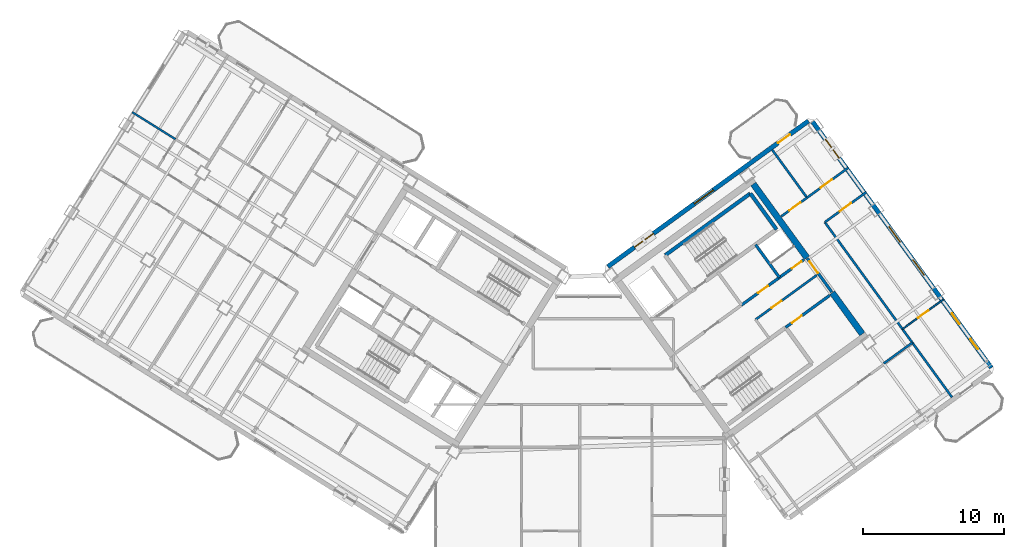
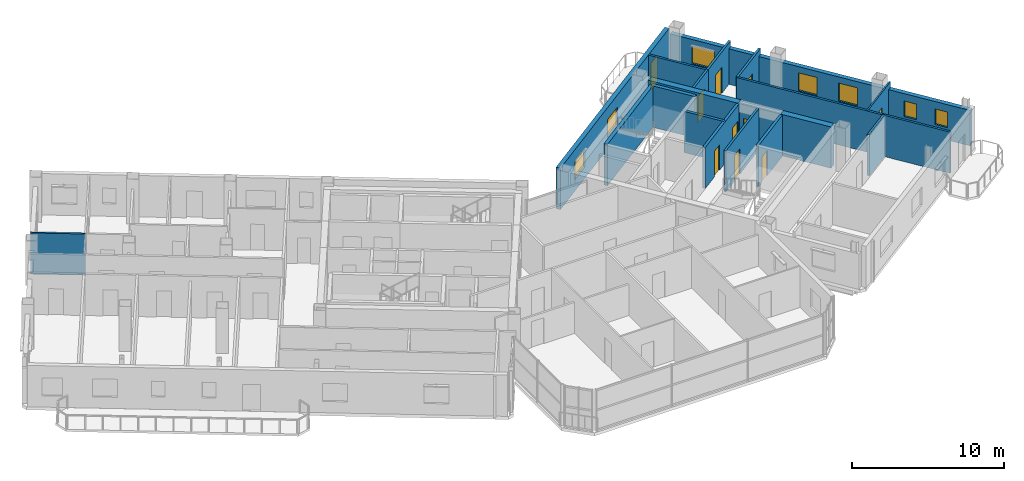
# One storey, part 20 of 27: 19 walls, 10 doors, 7 windows, 17 openings.
"""IFC4 building model written with IfcOpenShell, lengths in metres."""

from ifc_helpers import new_model, si_unit, direction, frame, frame_2d, origin, place, context, subcontext, project, spatial, rectangle, extrude, source, transform, mapped, material, layer, layer_set, type_object, element, fill, save


model = new_model("IFC4")

# Units and contexts
model_context = context("Model", 3, precision=1e-05, world=origin(), true_north=direction((0.0, 1.0)))
body_context = subcontext(model_context, "Body", "Model", "MODEL_VIEW")
ifc_project = project(units=[si_unit("LENGTHUNIT", "METRE"), si_unit("AREAUNIT", "SQUARE_METRE"), si_unit("VOLUMEUNIT", "CUBIC_METRE"), si_unit("PLANEANGLEUNIT", "RADIAN"), si_unit("MASSUNIT", "GRAM", prefix="KILO")], contexts=[model_context])

# Site, building, storey
site_placement = place(None, origin())
site = spatial("IfcSite", under=ifc_project, at=site_placement, CompositionType="ELEMENT")
building_placement = place(site_placement, origin())
building = spatial("IfcBuilding", under=site, at=building_placement, Name="Tlacorven Tower", CompositionType="ELEMENT")
storey_placement = place(building_placement, frame((0.0, 0.0, 242.10009765625)))
storey = spatial("IfcBuildingStorey", under=building, at=storey_placement, Name="L61", CompositionType="ELEMENT", Elevation=242.10009765625)

# Walls
ifc_material_1 = material(Name="Concrete C50/60", Category="concrete")
ifc_layer_1 = layer(ifc_material_1, 0.449951171875)
ifc_layer_set_1 = layer_set([ifc_layer_1], Name="Concrete C50/60")
wall_type_1 = type_object("IfcWallType", Name="WL-COR-450", PredefinedType="SHEAR", material=ifc_layer_set_1)
wall_1_placement = place(storey_placement, frame((61.987548828125, 20.413330078125, 0.0), z_axis=(0.0, 0.0, 1.0), x_axis=(-0.587819244441, 0.808992296542, 0.0)))
element("IfcWall", 1, at=wall_1_placement, inside=storey, type_object=wall_type_1, Name="L61 E core end wall E2.1", PredefinedType="SHEAR", context=body_context, shape_type="SweptSolid", body=[
    extrude(rectangle(XDim=3.625, YDim=0.449951171875, at=frame_2d((1.8125, 0.0))), origin(), (0.0, 0.0, 1.0), 3.31982421875),
])
wall_2_placement = place(storey_placement, frame((58.06396484375, 25.8134765625, 0.0), z_axis=(0.0, 0.0, 1.0), x_axis=(-0.587774812919, 0.809024578921, 0.0)))
element("IfcWall", 2, at=wall_2_placement, inside=storey, type_object=wall_type_1, Name="L61 E core end wall E2.2", PredefinedType="SHEAR", context=body_context, shape_type="SweptSolid", body=[
    extrude(rectangle(XDim=6.47509765625, YDim=0.449951171875, at=frame_2d((3.237548828125, 0.0))), origin(), (0.0, 0.0, 1.0), 3.31982421875),
])

# Wall, opening, door
ifc_material_2 = material(Name="Gypsum plasterboard acoustic partition", Category="gypsum")
ifc_layer_2 = layer(ifc_material_2, 0.159912109375)
ifc_layer_set_2 = layer_set([ifc_layer_2], Name="Gypsum plasterboard acoustic partition")
wall_type_2 = type_object("IfcWallType", Name="WL-DEM-160", PredefinedType="PARTITIONING", material=ifc_layer_set_2)
wall_3_placement = place(storey_placement, frame((54.421142578125, 21.436279296875, 0.0), z_axis=(0.0, 0.0, 1.0), x_axis=(0.809013710463, 0.587789772183, 0.0)))
wall_3 = element("IfcWall", 3, at=wall_3_placement, inside=storey, type_object=wall_type_2, Name="L61 partition 31", PredefinedType="PARTITIONING", context=body_context, shape_type="SweptSolid", body=[
    extrude(rectangle(XDim=5.360107421875, YDim=0.159912109375, at=frame_2d((2.68017578125, 0.0))), origin(), (0.0, 0.0, 1.0), 3.309814453125),
])
opening_1_placement = place(wall_3_placement, frame((1.39990234375, 0.0, 0.0)))
opening_1 = element("IfcOpeningElement", 4, at=opening_1_placement, cuts=wall_3, Name="Opening D19", PredefinedType="OPENING", context=body_context, shape_type="SweptSolid", body=[
    extrude(rectangle(XDim=0.860107421875, YDim=2.050048828125, at=frame_2d((0.43017578125, 1.02490234375))), frame((0.0, 0.08984375, 0.0), z_axis=(0.0, -1.0, 0.0), x_axis=(1.0, 0.0, 0.0)), (0.0, 0.0, 1.0), 0.179931640625),
])
ifc_material_3 = material(Name="Fire-rated steel door assembly", Category="steel")
door_type_1 = type_object("IfcDoorType", Name="DR-RSR-FD60-0860", OperationType="NOTDEFINED", PredefinedType="DOOR", material=ifc_material_3)
shared_shape_1 = source(origin(), body_context, "Body", "SweptSolid", [
    extrude(rectangle(XDim=0.860107421875, YDim=2.050048828125, at=frame_2d((0.43017578125, 1.02490234375))), frame((0.0, 0.02490234375, 0.0), z_axis=(0.0, -1.0, 0.0), x_axis=(1.0, 0.0, 0.0)), (0.0, 0.0, 1.0), 0.050048828125),
])
door_1_placement = place(opening_1_placement, origin())
door_1 = element("IfcDoor", 5, at=door_1_placement, inside=storey, type_object=door_type_1, Name="L61 Freed Core Store Door", OperationType="SINGLE_SWING_RIGHT", OverallHeight=2.050048828125, OverallWidth=0.860107421875, PredefinedType="DOOR", context=body_context, shape_type="MappedRepresentation", body=[
    mapped(shared_shape_1, transform((0.0, 0.0, 0.0), scale=1.0)),
])
fill(opening_1, door_1)

# Wall
wall_4_placement = place(storey_placement, frame((63.5068359375, 18.322021484375, 0.0), z_axis=(0.0, 0.0, 1.0), x_axis=(0.809034604122, 0.587761013791, 0.0)))
element("IfcWall", 6, at=wall_4_placement, inside=storey, type_object=wall_type_2, Name="L61 partition 80", PredefinedType="PARTITIONING", context=body_context, shape_type="SweptSolid", body=[
    extrude(rectangle(XDim=2.510009765625, YDim=0.159912109375, at=frame_2d((1.2548828125, 0.0))), origin(), (0.0, 0.0, 1.0), 3.309814453125),
])

# Wall, opening, door
wall_5_placement = place(storey_placement, frame((56.239990234375, 28.752685546875, 0.0), z_axis=(0.0, 0.0, 1.0), x_axis=(0.809002482896, 0.587805225111, 0.0)))
wall_5 = element("IfcWall", 7, at=wall_5_placement, inside=storey, type_object=wall_type_2, Name="L61 partition 81", PredefinedType="PARTITIONING", context=body_context, shape_type="SweptSolid", body=[
    extrude(rectangle(XDim=2.25830078125, YDim=0.159912109375, at=frame_2d((1.129150390625, 0.0))), origin(), (0.0, 0.0, 1.0), 3.309814453125),
])
opening_2_placement = place(wall_5_placement, frame((0.697998046875, 0.0, 0.0)))
opening_2 = element("IfcOpeningElement", 8, at=opening_2_placement, cuts=wall_5, Name="Opening D11", PredefinedType="OPENING", context=body_context, shape_type="SweptSolid", body=[
    extrude(rectangle(XDim=1.0, YDim=2.10009765625, at=frame_2d((0.5, 1.050048828125))), frame((0.0, 0.08984375, 0.0), z_axis=(0.0, -1.0, 0.0), x_axis=(1.0, 0.0, 0.0)), (0.0, 0.0, 1.0), 0.179931640625),
])
door_type_2 = type_object("IfcDoorType", Name="DR-FLT-FD60-1000", OperationType="NOTDEFINED", PredefinedType="DOOR", material=ifc_material_3)
shared_shape_2 = source(origin(), body_context, "Body", "SweptSolid", [
    extrude(rectangle(XDim=1.0, YDim=2.10009765625, at=frame_2d((0.5, 1.050048828125))), frame((0.0, 0.02490234375, 0.0), z_axis=(0.0, -1.0, 0.0), x_axis=(1.0, 0.0, 0.0)), (0.0, 0.0, 1.0), 0.050048828125),
])
door_2_placement = place(opening_2_placement, origin())
door_2 = element("IfcDoor", 9, at=door_2_placement, inside=storey, type_object=door_type_2, Name="L61 door 055", OperationType="SINGLE_SWING_LEFT", OverallHeight=2.10009765625, OverallWidth=1.0, PredefinedType="DOOR", context=body_context, shape_type="MappedRepresentation", body=[
    mapped(shared_shape_2, transform((0.0, 0.0, 0.0), scale=1.0)),
])
fill(opening_2, door_2)

# Walls
wall_6_placement = place(storey_placement, frame((68.35302734375, 15.922119140625, 0.0), z_axis=(0.0, 0.0, 1.0), x_axis=(-0.587782002009, 0.809019355834, 0.0)))
element("IfcWall", 10, at=wall_6_placement, inside=storey, type_object=wall_type_2, Name="L61 partition 82", PredefinedType="PARTITIONING", context=body_context, shape_type="SweptSolid", body=[
    extrude(rectangle(XDim=15.35009765625, YDim=0.159912109375, at=frame_2d((7.675048828125, 0.0))), origin(), (0.0, 0.0, 1.0), 3.309814453125),
])
wall_7_placement = place(storey_placement, frame((58.06689453125, 30.080078125, 0.0), z_axis=(0.0, 0.0, 1.0), x_axis=(-0.587812175236, 0.808997433027, 0.0)))
element("IfcWall", 11, at=wall_7_placement, inside=storey, type_object=wall_type_2, Name="L61 partition 83", PredefinedType="PARTITIONING", context=body_context, shape_type="SweptSolid", body=[
    extrude(rectangle(XDim=4.199951171875, YDim=0.159912109375, at=frame_2d((2.10009765625, 0.0))), origin(), (0.0, 0.0, 1.0), 3.309814453125),
])

# Wall, opening, door
wall_8_placement = place(storey_placement, frame((59.33056640625, 28.340576171875, 0.0), z_axis=(0.0, 0.0, 1.0), x_axis=(0.809003564202, 0.587803736896, 0.0)))
wall_8 = element("IfcWall", 12, at=wall_8_placement, inside=storey, type_object=wall_type_2, Name="L61 partition 85", PredefinedType="PARTITIONING", context=body_context, shape_type="SweptSolid", body=[
    extrude(rectangle(XDim=3.630126953125, YDim=0.159912109375, at=frame_2d((1.81494140625, 0.0))), origin(), (0.0, 0.0, 1.0), 3.309814453125),
])
opening_3_placement = place(wall_8_placement, frame((1.304931640625, 0.0, 0.0)))
opening_3 = element("IfcOpeningElement", 13, at=opening_3_placement, cuts=wall_8, Name="Opening D11", PredefinedType="OPENING", context=body_context, shape_type="SweptSolid", body=[
    extrude(rectangle(XDim=1.0, YDim=2.10009765625, at=frame_2d((0.5, 1.050048828125))), frame((0.0, 0.08984375, 0.0), z_axis=(0.0, -1.0, 0.0), x_axis=(1.0, 0.0, 0.0)), (0.0, 0.0, 1.0), 0.179931640625),
])
door_3_placement = place(opening_3_placement, origin())
door_3 = element("IfcDoor", 14, at=door_3_placement, inside=storey, type_object=door_type_2, Name="L61 door 058", OperationType="SINGLE_SWING_RIGHT", OverallHeight=2.10009765625, OverallWidth=1.0, PredefinedType="DOOR", context=body_context, shape_type="MappedRepresentation", body=[
    mapped(shared_shape_2, transform((0.0, 0.0, 0.0), scale=1.0)),
])
fill(opening_3, door_3)

wall_9_placement = place(storey_placement, frame((58.06689453125, 30.080078125, 0.0), z_axis=(0.0, 0.0, 1.0), x_axis=(0.809012309495, 0.587791700422, 0.0)))
wall_9 = element("IfcWall", 15, at=wall_9_placement, inside=storey, type_object=wall_type_2, Name="L61 partition 86", PredefinedType="PARTITIONING", context=body_context, shape_type="SweptSolid", body=[
    extrude(rectangle(XDim=3.6298828125, YDim=0.159912109375, at=frame_2d((1.81494140625, 0.0))), origin(), (0.0, 0.0, 1.0), 3.309814453125),
])
opening_4_placement = place(wall_9_placement, frame((1.199951171875, 0.0, 0.0)))
opening_4 = element("IfcOpeningElement", 16, at=opening_4_placement, cuts=wall_9, Name="Opening D11", PredefinedType="OPENING", context=body_context, shape_type="SweptSolid", body=[
    extrude(rectangle(XDim=1.0, YDim=2.10009765625, at=frame_2d((0.5, 1.050048828125))), frame((0.0, 0.08984375, 0.0), z_axis=(0.0, -1.0, 0.0), x_axis=(1.0, 0.0, 0.0)), (0.0, 0.0, 1.0), 0.179931640625),
])
door_4_placement = place(opening_4_placement, origin())
door_4 = element("IfcDoor", 17, at=door_4_placement, inside=storey, type_object=door_type_2, Name="L61 door 057", OperationType="SINGLE_SWING_LEFT", OverallHeight=2.10009765625, OverallWidth=1.0, PredefinedType="DOOR", context=body_context, shape_type="MappedRepresentation", body=[
    mapped(shared_shape_2, transform((0.0, 0.0, 0.0), scale=1.0)),
])
fill(opening_4, door_4)

# Wall, openings, door, windows
ifc_material_4 = material(Name="Precast concrete C45/55", Category="concrete")
ifc_layer_3 = layer(ifc_material_4, 0.320068359375)
ifc_layer_set_3 = layer_set([ifc_layer_3], Name="Precast concrete C45/55")
wall_type_3 = type_object("IfcWallType", Name="WL-EXT-320", PredefinedType="STANDARD", material=ifc_layer_set_3)
wall_10_placement = place(storey_placement, frame((43.93798828125, 25.191650390625, 0.0), z_axis=(0.0, 0.0, 1.0), x_axis=(0.809016324578, 0.587786174187, 0.0)))
wall_10 = element("IfcWall", 18, at=wall_10_placement, inside=storey, type_object=wall_type_3, Name="L61 Masonry-Frame Recessed Facade Wall 4", PredefinedType="STANDARD", context=body_context, shape_type="SweptSolid", body=[
    extrude(rectangle(XDim=17.58740234375, YDim=0.320068359375, at=frame_2d((8.793701171875, 0.0))), origin(), (0.0, 0.0, 1.0), 3.31982421875),
])
opening_5_placement = place(wall_10_placement, frame((14.913818359375, 0.0, 0.0)))
opening_5 = element("IfcOpeningElement", 19, at=opening_5_placement, cuts=wall_10, Name="Opening D06", PredefinedType="OPENING", context=body_context, shape_type="SweptSolid", body=[
    extrude(rectangle(XDim=1.050048828125, YDim=2.14990234375, at=frame_2d((0.52490234375, 1.074951171875))), frame((0.0, 0.169921875, 0.0), z_axis=(0.0, -1.0, 0.0), x_axis=(1.0, 0.0, 0.0)), (0.0, 0.0, 1.0), 0.340087890625),
])
opening_6_placement = place(wall_10_placement, frame((2.34375, 0.0, 0.89990234375)))
opening_6 = element("IfcOpeningElement", 20, at=opening_6_placement, cuts=wall_10, Name="Opening WN07", PredefinedType="OPENING", context=body_context, shape_type="SweptSolid", body=[
    extrude(rectangle(XDim=1.64990234375, YDim=1.449951171875, at=frame_2d((0.824951171875, 0.72509765625))), frame((0.0, 0.169921875, 0.0), z_axis=(0.0, -1.0, 0.0), x_axis=(1.0, 0.0, 0.0)), (0.0, 0.0, 1.0), 0.340087890625),
])
opening_7_placement = place(wall_10_placement, frame((7.59375, 0.0, 0.89990234375)))
opening_7 = element("IfcOpeningElement", 21, at=opening_7_placement, cuts=wall_10, Name="Opening WN07", PredefinedType="OPENING", context=body_context, shape_type="SweptSolid", body=[
    extrude(rectangle(XDim=1.64990234375, YDim=1.449951171875, at=frame_2d((0.824951171875, 0.72509765625))), frame((0.0, 0.169921875, 0.0), z_axis=(0.0, -1.0, 0.0), x_axis=(1.0, 0.0, 0.0)), (0.0, 0.0, 1.0), 0.340087890625),
])
ifc_material_5 = material(Name="Powder-coated aluminium and timber door", Category="wood")
door_type_3 = type_object("IfcDoorType", Name="DR-EXT-BALC-1050", OperationType="NOTDEFINED", PredefinedType="DOOR", material=ifc_material_5)
shared_shape_3 = source(origin(), body_context, "Body", "SweptSolid", [
    extrude(rectangle(XDim=1.050048828125, YDim=2.14990234375, at=frame_2d((0.52490234375, 1.074951171875))), frame((0.0, 0.02490234375, 0.0), z_axis=(0.0, -1.0, 0.0), x_axis=(1.0, 0.0, 0.0)), (0.0, 0.0, 1.0), 0.050048828125),
])
door_5_placement = place(opening_5_placement, origin())
door_5 = element("IfcDoor", 22, at=door_5_placement, inside=storey, type_object=door_type_3, Name="L61 Outdoor Access Door BAL-L61-E-IN", OperationType="SINGLE_SWING_RIGHT", OverallHeight=2.14990234375, OverallWidth=1.050048828125, PredefinedType="DOOR", context=body_context, shape_type="MappedRepresentation", body=[
    mapped(shared_shape_3, transform((0.0, 0.0, 0.0), scale=1.0)),
])
fill(opening_5, door_5)
ifc_material_6 = material(Name="Dark solar low-E double glazing in anodised aluminium frame", Category="aluminium")
window_type_1 = type_object("IfcWindowType", Name="WN-APT-1650X1600", PartitioningType="SINGLE_PANEL", PredefinedType="WINDOW", material=ifc_material_6)
shared_shape_4 = source(origin(), body_context, "Body", "SweptSolid", [
    extrude(rectangle(XDim=1.64990234375, YDim=1.449951171875, at=frame_2d((0.824951171875, 0.72509765625))), frame((0.0, 0.030029296875, 0.0), z_axis=(0.0, -1.0, 0.0), x_axis=(1.0, 0.0, 0.0)), (0.0, 0.0, 1.0), 0.06005859375),
])
window_1_placement = place(opening_6_placement, origin())
window_1 = element("IfcWindow", 23, at=window_1_placement, inside=storey, type_object=window_type_1, Name="L61 Recessed Masonry-Frame Window L61-04.1", OverallHeight=1.449951171875, OverallWidth=1.64990234375, PartitioningType="SINGLE_PANEL", PredefinedType="WINDOW", context=body_context, shape_type="MappedRepresentation", body=[
    mapped(shared_shape_4, transform((0.0, 0.0, 0.0), scale=1.0)),
])
fill(opening_6, window_1)
window_2_placement = place(opening_7_placement, origin())
window_2 = element("IfcWindow", 24, at=window_2_placement, inside=storey, type_object=window_type_1, Name="L61 Recessed Masonry-Frame Window L61-04.2", OverallHeight=1.449951171875, OverallWidth=1.64990234375, PartitioningType="SINGLE_PANEL", PredefinedType="WINDOW", context=body_context, shape_type="MappedRepresentation", body=[
    mapped(shared_shape_4, transform((0.0, 0.0, 0.0), scale=1.0)),
])
fill(opening_7, window_2)

# Wall, openings, windows
wall_11_placement = place(storey_placement, frame((58.45458984375, 35.483642578125, 0.0), z_axis=(0.0, 0.0, 1.0), x_axis=(0.587783625747, -0.809018176127, 0.0)))
wall_11 = element("IfcWall", 25, at=wall_11_placement, inside=storey, type_object=wall_type_3, Name="L61 Masonry-Frame Recessed Facade Wall 5", PredefinedType="STANDARD", context=body_context, shape_type="SweptSolid", body=[
    extrude(rectangle(XDim=21.58740234375, YDim=0.320068359375, at=frame_2d((10.793701171875, 0.0))), origin(), (0.0, 0.0, 1.0), 2.844970703125),
])
opening_8_placement = place(wall_11_placement, frame((1.5537109375, 0.0, 0.89990234375)))
opening_8 = element("IfcOpeningElement", 26, at=opening_8_placement, cuts=wall_11, Name="Opening WN07", PredefinedType="OPENING", context=body_context, shape_type="SweptSolid", body=[
    extrude(rectangle(XDim=1.64990234375, YDim=1.449951171875, at=frame_2d((0.824951171875, 0.72509765625))), frame((0.0, 0.169921875, 0.0), z_axis=(0.0, -1.0, 0.0), x_axis=(1.0, 0.0, 0.0)), (0.0, 0.0, 1.0), 0.340087890625),
])
opening_9_placement = place(wall_11_placement, frame((9.21875, 0.0, 0.89990234375)))
opening_9 = element("IfcOpeningElement", 27, at=opening_9_placement, cuts=wall_11, Name="Opening WN08", PredefinedType="OPENING", context=body_context, shape_type="SweptSolid", body=[
    extrude(rectangle(XDim=1.35009765625, YDim=1.449951171875, at=frame_2d((0.675048828125, 0.72509765625))), frame((0.0, 0.169921875, 0.0), z_axis=(0.0, -1.0, 0.0), x_axis=(1.0, 0.0, 0.0)), (0.0, 0.0, 1.0), 0.340087890625),
])
opening_10_placement = place(wall_11_placement, frame((12.11865234375, 0.0, 0.89990234375)))
opening_10 = element("IfcOpeningElement", 28, at=opening_10_placement, cuts=wall_11, Name="Opening WN08", PredefinedType="OPENING", context=body_context, shape_type="SweptSolid", body=[
    extrude(rectangle(XDim=1.35009765625, YDim=1.449951171875, at=frame_2d((0.675048828125, 0.72509765625))), frame((0.0, 0.169921875, 0.0), z_axis=(0.0, -1.0, 0.0), x_axis=(1.0, 0.0, 0.0)), (0.0, 0.0, 1.0), 0.340087890625),
])
opening_11_placement = place(wall_11_placement, frame((16.832763671875, 0.0, 1.0)))
opening_11 = element("IfcOpeningElement", 29, at=opening_11_placement, cuts=wall_11, Name="Opening WN05", PredefinedType="OPENING", context=body_context, shape_type="SweptSolid", body=[
    extrude(rectangle(XDim=0.89990234375, YDim=1.25, at=frame_2d((0.449951171875, 0.625))), frame((0.0, 0.169921875, 0.0), z_axis=(0.0, -1.0, 0.0), x_axis=(1.0, 0.0, 0.0)), (0.0, 0.0, 1.0), 0.340087890625),
])
opening_12_placement = place(wall_11_placement, frame((19.056640625, 0.0, 1.0)))
opening_12 = element("IfcOpeningElement", 30, at=opening_12_placement, cuts=wall_11, Name="Opening WN05", PredefinedType="OPENING", context=body_context, shape_type="SweptSolid", body=[
    extrude(rectangle(XDim=0.89990234375, YDim=1.25, at=frame_2d((0.449951171875, 0.625))), frame((0.0, 0.169921875, 0.0), z_axis=(0.0, -1.0, 0.0), x_axis=(1.0, 0.0, 0.0)), (0.0, 0.0, 1.0), 0.340087890625),
])
window_type_2 = type_object("IfcWindowType", Name="WN-APT-0900X1350", PartitioningType="SINGLE_PANEL", PredefinedType="WINDOW", material=ifc_material_6)
shared_shape_5 = source(origin(), body_context, "Body", "SweptSolid", [
    extrude(rectangle(XDim=0.89990234375, YDim=1.25, at=frame_2d((0.449951171875, 0.625))), frame((0.0, 0.030029296875, 0.0), z_axis=(0.0, -1.0, 0.0), x_axis=(1.0, 0.0, 0.0)), (0.0, 0.0, 1.0), 0.06005859375),
])
window_3_placement = place(opening_11_placement, origin())
window_3 = element("IfcWindow", 31, at=window_3_placement, inside=storey, type_object=window_type_2, Name="L61 Recessed Masonry-Frame Window L61-05.4", OverallHeight=1.25, OverallWidth=0.89990234375, PartitioningType="SINGLE_PANEL", PredefinedType="WINDOW", context=body_context, shape_type="MappedRepresentation", body=[
    mapped(shared_shape_5, transform((0.0, 0.0, 0.0), scale=1.0)),
])
fill(opening_11, window_3)
window_4_placement = place(opening_12_placement, origin())
window_4 = element("IfcWindow", 32, at=window_4_placement, inside=storey, type_object=window_type_2, Name="L61 Recessed Masonry-Frame Window L61-05.5", OverallHeight=1.25, OverallWidth=0.89990234375, PartitioningType="SINGLE_PANEL", PredefinedType="WINDOW", context=body_context, shape_type="MappedRepresentation", body=[
    mapped(shared_shape_5, transform((0.0, 0.0, 0.0), scale=1.0)),
])
fill(opening_12, window_4)
window_5_placement = place(opening_8_placement, origin())
window_5 = element("IfcWindow", 33, at=window_5_placement, inside=storey, type_object=window_type_1, Name="L61 Recessed Masonry-Frame Window L61-05.1", OverallHeight=1.449951171875, OverallWidth=1.64990234375, PartitioningType="SINGLE_PANEL", PredefinedType="WINDOW", context=body_context, shape_type="MappedRepresentation", body=[
    mapped(shared_shape_4, transform((0.0, 0.0, 0.0), scale=1.0)),
])
fill(opening_8, window_5)
window_type_3 = type_object("IfcWindowType", Name="WN-APT-1350X1550", PartitioningType="SINGLE_PANEL", PredefinedType="WINDOW", material=ifc_material_6)
shared_shape_6 = source(origin(), body_context, "Body", "SweptSolid", [
    extrude(rectangle(XDim=1.35009765625, YDim=1.449951171875, at=frame_2d((0.675048828125, 0.72509765625))), frame((0.0, 0.030029296875, 0.0), z_axis=(0.0, -1.0, 0.0), x_axis=(1.0, 0.0, 0.0)), (0.0, 0.0, 1.0), 0.06005859375),
])
window_6_placement = place(opening_9_placement, origin())
window_6 = element("IfcWindow", 34, at=window_6_placement, inside=storey, type_object=window_type_3, Name="L61 Recessed Masonry-Frame Window L61-05.2", OverallHeight=1.449951171875, OverallWidth=1.35009765625, PartitioningType="SINGLE_PANEL", PredefinedType="WINDOW", context=body_context, shape_type="MappedRepresentation", body=[
    mapped(shared_shape_6, transform((0.0, 0.0, 0.0), scale=1.0)),
])
fill(opening_9, window_6)
window_7_placement = place(opening_10_placement, origin())
window_7 = element("IfcWindow", 35, at=window_7_placement, inside=storey, type_object=window_type_3, Name="L61 Recessed Masonry-Frame Window L61-05.3", OverallHeight=1.449951171875, OverallWidth=1.35009765625, PartitioningType="SINGLE_PANEL", PredefinedType="WINDOW", context=body_context, shape_type="MappedRepresentation", body=[
    mapped(shared_shape_6, transform((0.0, 0.0, 0.0), scale=1.0)),
])
fill(opening_10, window_7)

# Wall, opening, door
ifc_material_7 = material(Name="Gypsum plasterboard partition", Category="gypsum")
ifc_layer_4 = layer(ifc_material_7, 0.110107421875)
ifc_layer_set_4 = layer_set([ifc_layer_4], Name="Gypsum plasterboard partition")
wall_type_4 = type_object("IfcWallType", Name="WL-INT-110", PredefinedType="PARTITIONING", material=ifc_layer_set_4)
wall_12_placement = place(storey_placement, frame((64.83935546875, 20.758544921875, 0.0), z_axis=(0.0, 0.0, 1.0), x_axis=(0.809013833588, 0.587789602718, 0.0)))
wall_12 = element("IfcWall", 36, at=wall_12_placement, inside=storey, type_object=wall_type_4, Name="L61 partition 87", PredefinedType="PARTITIONING", context=body_context, shape_type="SweptSolid", body=[
    extrude(rectangle(XDim=3.60986328125, YDim=0.110107421875, at=frame_2d((1.804931640625, 0.0))), origin(), (0.0, 0.0, 1.0), 3.309814453125),
])
opening_13_placement = place(wall_12_placement, frame((1.344970703125, 0.0, 0.0)))
opening_13 = element("IfcOpeningElement", 37, at=opening_13_placement, cuts=wall_12, Name="Opening D12", PredefinedType="OPENING", context=body_context, shape_type="SweptSolid", body=[
    extrude(rectangle(XDim=0.919921875, YDim=2.080078125, at=frame_2d((0.4599609375, 1.0400390625))), frame((0.0, 0.06494140625, 0.0), z_axis=(0.0, -1.0, 0.0), x_axis=(1.0, 0.0, 0.0)), (0.0, 0.0, 1.0), 0.130126953125),
])
door_type_4 = type_object("IfcDoorType", Name="DR-INT-ROOM-0920", OperationType="NOTDEFINED", PredefinedType="DOOR", material=ifc_material_5)
shared_shape_7 = source(origin(), body_context, "Body", "SweptSolid", [
    extrude(rectangle(XDim=0.919921875, YDim=2.080078125, at=frame_2d((0.4599609375, 1.0400390625))), frame((0.0, 0.02490234375, 0.0), z_axis=(0.0, -1.0, 0.0), x_axis=(1.0, 0.0, 0.0)), (0.0, 0.0, 1.0), 0.050048828125),
])
door_6_placement = place(opening_13_placement, origin())
door_6 = element("IfcDoor", 38, at=door_6_placement, inside=storey, type_object=door_type_4, Name="L61 door 059", OperationType="SINGLE_SWING_LEFT", OverallHeight=2.080078125, OverallWidth=0.919921875, PredefinedType="DOOR", context=body_context, shape_type="MappedRepresentation", body=[
    mapped(shared_shape_7, transform((0.0, 0.0, 0.0), scale=1.0)),
])
fill(opening_13, door_6)

# Wall
ifc_material_8 = material(Name="Moisture-resistant gypsum plumbing wall", Category="gypsum")
ifc_layer_5 = layer(ifc_material_8, 0.139892578125)
ifc_layer_set_5 = layer_set([ifc_layer_5], Name="Moisture-resistant gypsum plumbing wall")
wall_type_5 = type_object("IfcWallType", Name="WL-PLM-140", PredefinedType="PLUMBINGWALL", material=ifc_layer_set_5)
wall_13_placement = place(storey_placement, frame((13.275146484375, 34.228271484375, 0.0), z_axis=(0.0, 0.0, 1.0), x_axis=(-0.848039976902, 0.529932257535, 0.0)))
element("IfcWall", 39, at=wall_13_placement, inside=storey, type_object=wall_type_5, Name="L61 partition 58", PredefinedType="PLUMBINGWALL", context=body_context, shape_type="SweptSolid", body=[
    extrude(rectangle(XDim=3.6201171875, YDim=0.139892578125, at=frame_2d((1.81005859375, 0.0))), origin(), (0.0, 0.0, 1.0), 3.309814453125),
])

# Wall, opening, door
ifc_material_9 = material(Name="Concrete C40/50", Category="concrete")
ifc_layer_6 = layer(ifc_material_9, 0.199951171875)
ifc_layer_set_6 = layer_set([ifc_layer_6], Name="Concrete C40/50")
wall_type_6 = type_object("IfcWallType", Name="WL-SHF-200", PredefinedType="STANDARD", material=ifc_layer_set_6)
wall_14_placement = place(storey_placement, frame((56.552978515625, 20.884033203125, 0.0), z_axis=(0.0, 0.0, 1.0), x_axis=(0.809041669066, 0.587751288995, 0.0)))
wall_14 = element("IfcWall", 40, at=wall_14_placement, inside=storey, type_object=wall_type_6, Name="L61 Core E South Lift Shaft Wall", PredefinedType="STANDARD", context=body_context, shape_type="SweptSolid", body=[
    extrude(rectangle(XDim=3.867919921875, YDim=0.199951171875, at=frame_2d((1.93408203125, 0.0))), origin(), (0.0, 0.0, 1.0), 3.309814453125),
])
opening_14_placement = place(wall_14_placement, frame((0.550048828125, 0.0, 0.0)))
opening_14 = element("IfcOpeningElement", 41, at=opening_14_placement, cuts=wall_14, Name="Opening D19", PredefinedType="OPENING", context=body_context, shape_type="SweptSolid", body=[
    extrude(rectangle(XDim=0.860107421875, YDim=2.050048828125, at=frame_2d((0.43017578125, 1.02490234375))), frame((0.0, 0.10986328125, 0.0), z_axis=(0.0, -1.0, 0.0), x_axis=(1.0, 0.0, 0.0)), (0.0, 0.0, 1.0), 0.219970703125),
])
door_7_placement = place(opening_14_placement, origin())
door_7 = element("IfcDoor", 42, at=door_7_placement, inside=storey, type_object=door_type_1, Name="L61 East Telecoms Riser Access Door", OperationType="SINGLE_SWING_LEFT", OverallHeight=2.050048828125, OverallWidth=0.860107421875, PredefinedType="DOOR", context=body_context, shape_type="MappedRepresentation", body=[
    mapped(shared_shape_1, transform((0.0, 0.0, 0.0), scale=1.0)),
])
fill(opening_14, door_7)

# Wall
wall_15_placement = place(storey_placement, frame((56.110595703125, 24.4189453125, 0.0), z_axis=(0.0, 0.0, 1.0), x_axis=(-0.58777848983, 0.809021907548, 0.0)))
element("IfcWall", 43, at=wall_15_placement, inside=storey, type_object=wall_type_6, Name="L61 partition 35", PredefinedType="STANDARD", context=body_context, shape_type="SweptSolid", body=[
    extrude(rectangle(XDim=2.880126953125, YDim=0.199951171875, at=frame_2d((1.43994140625, 0.0))), origin(), (0.0, 0.0, 1.0), 3.309814453125),
])

# Wall, openings, doors
wall_16_placement = place(storey_placement, frame((53.424560546875, 22.467529296875, 0.0), z_axis=(0.0, 0.0, 1.0), x_axis=(0.809015945709, 0.587786695655, 0.0)))
wall_16 = element("IfcWall", 44, at=wall_16_placement, inside=storey, type_object=wall_type_6, Name="L61 Core E North Service Wall", PredefinedType="STANDARD", context=body_context, shape_type="SweptSolid", body=[
    extrude(rectangle(XDim=5.46826171875, YDim=0.199951171875, at=frame_2d((2.734130859375, 0.0))), origin(), (0.0, 0.0, 1.0), 3.309814453125),
])
opening_15_placement = place(wall_16_placement, frame((4.39990234375, 0.0, 0.0)))
opening_15 = element("IfcOpeningElement", 45, at=opening_15_placement, cuts=wall_16, Name="Opening D19", PredefinedType="OPENING", context=body_context, shape_type="SweptSolid", body=[
    extrude(rectangle(XDim=0.860107421875, YDim=2.050048828125, at=frame_2d((0.43017578125, 1.02490234375))), frame((0.0, 0.10986328125, 0.0), z_axis=(0.0, -1.0, 0.0), x_axis=(1.0, 0.0, 0.0)), (0.0, 0.0, 1.0), 0.219970703125),
])
opening_16_placement = place(wall_16_placement, frame((1.449951171875, 0.0, 0.0)))
opening_16 = element("IfcOpeningElement", 46, at=opening_16_placement, cuts=wall_16, Name="Opening D19", PredefinedType="OPENING", context=body_context, shape_type="SweptSolid", body=[
    extrude(rectangle(XDim=0.860107421875, YDim=2.050048828125, at=frame_2d((0.43017578125, 1.02490234375))), frame((0.0, 0.10986328125, 0.0), z_axis=(0.0, -1.0, 0.0), x_axis=(1.0, 0.0, 0.0)), (0.0, 0.0, 1.0), 0.219970703125),
])
door_8_placement = place(opening_15_placement, frame((0.860107421875, 0.0, 0.0), z_axis=(0.0, 0.0, 1.0), x_axis=(-1.0, 0.0, 0.0)))
door_8 = element("IfcDoor", 47, at=door_8_placement, inside=storey, type_object=door_type_1, Name="L61 Electrical Riser Access Door E", OperationType="SINGLE_SWING_RIGHT", OverallHeight=2.050048828125, OverallWidth=0.860107421875, PredefinedType="DOOR", context=body_context, shape_type="MappedRepresentation", body=[
    mapped(shared_shape_1, transform((0.0, 0.0, 0.0), scale=1.0)),
])
fill(opening_15, door_8)
door_9_placement = place(opening_16_placement, frame((0.860107421875, 0.0, 0.0), z_axis=(0.0, 0.0, 1.0), x_axis=(-1.0, 0.0, 0.0)))
door_9 = element("IfcDoor", 48, at=door_9_placement, inside=storey, type_object=door_type_1, Name="L61 Housekeeping Linen Access Door E", OperationType="SINGLE_SWING_LEFT", OverallHeight=2.050048828125, OverallWidth=0.860107421875, PredefinedType="DOOR", context=body_context, shape_type="MappedRepresentation", body=[
    mapped(shared_shape_1, transform((0.0, 0.0, 0.0), scale=1.0)),
])
fill(opening_16, door_9)

# Wall, opening, door
wall_17_placement = place(storey_placement, frame((59.827392578125, 23.386474609375, 0.0), z_axis=(0.0, 0.0, 1.0), x_axis=(-0.587803840107, 0.809003489211, 0.0)))
wall_17 = element("IfcWall", 49, at=wall_17_placement, inside=storey, type_object=wall_type_6, Name="L61 partition 79", PredefinedType="STANDARD", context=body_context, shape_type="SweptSolid", body=[
    extrude(rectangle(XDim=2.960205078125, YDim=0.199951171875, at=frame_2d((1.47998046875, 0.0))), origin(), (0.0, 0.0, 1.0), 3.309814453125),
])
opening_17_placement = place(wall_17_placement, frame((1.679931640625, 0.0, 0.0)))
opening_17 = element("IfcOpeningElement", 50, at=opening_17_placement, cuts=wall_17, Name="Opening D11", PredefinedType="OPENING", context=body_context, shape_type="SweptSolid", body=[
    extrude(rectangle(XDim=1.0, YDim=2.10009765625, at=frame_2d((0.5, 1.050048828125))), frame((0.0, 0.10986328125, 0.0), z_axis=(0.0, -1.0, 0.0), x_axis=(1.0, 0.0, 0.0)), (0.0, 0.0, 1.0), 0.219970703125),
])
door_10_placement = place(opening_17_placement, origin())
door_10 = element("IfcDoor", 51, at=door_10_placement, inside=storey, type_object=door_type_2, Name="L61 door 056", OperationType="SINGLE_SWING_RIGHT", OverallHeight=2.10009765625, OverallWidth=1.0, PredefinedType="DOOR", context=body_context, shape_type="MappedRepresentation", body=[
    mapped(shared_shape_2, transform((0.0, 0.0, 0.0), scale=1.0)),
])
fill(opening_17, door_10)

# Walls
ifc_layer_7 = layer(ifc_material_1, 0.260009765625)
ifc_layer_set_7 = layer_set([ifc_layer_7], Name="Concrete C50/60")
wall_type_7 = type_object("IfcWallType", Name="WL-STW-260", PredefinedType="SHEAR", material=ifc_layer_set_7)
wall_18_placement = place(storey_placement, frame((48.005615234375, 25.996337890625, 0.0), z_axis=(0.0, 0.0, 1.0), x_axis=(0.80901903764, 0.587782439969, 0.0)))
element("IfcWall", 52, at=wall_18_placement, inside=storey, type_object=wall_type_7, Name="L61 Stair E1 Far Shear Wall", PredefinedType="SHEAR", context=body_context, shape_type="SweptSolid", body=[
    extrude(rectangle(XDim=7.4599609375, YDim=0.260009765625, at=frame_2d((3.72998046875, 0.0))), origin(), (0.0, 0.0, 1.0), 3.31982421875),
])
wall_19_placement = place(storey_placement, frame((55.906494140625, 27.83056640625, 0.0), z_axis=(0.0, 0.0, 1.0), x_axis=(-0.587804123638, 0.809003283204, 0.0)))
element("IfcWall", 53, at=wall_19_placement, inside=storey, type_object=wall_type_7, Name="L61 Stair E1 East Shear Wall", PredefinedType="SHEAR", context=body_context, shape_type="SweptSolid", body=[
    extrude(rectangle(XDim=3.159912109375, YDim=0.260009765625, at=frame_2d((1.580078125, 0.0))), origin(), (0.0, 0.0, 1.0), 3.31982421875),
])

save(model, "model.ifc")
